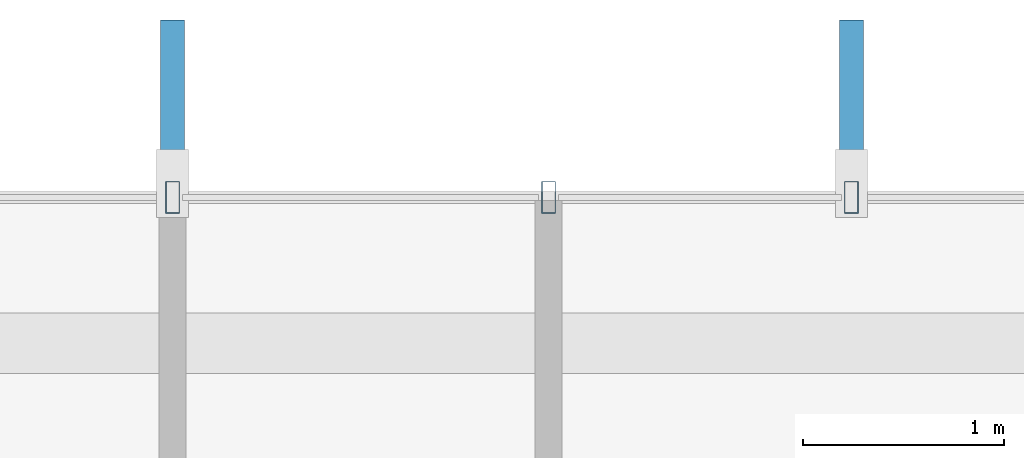
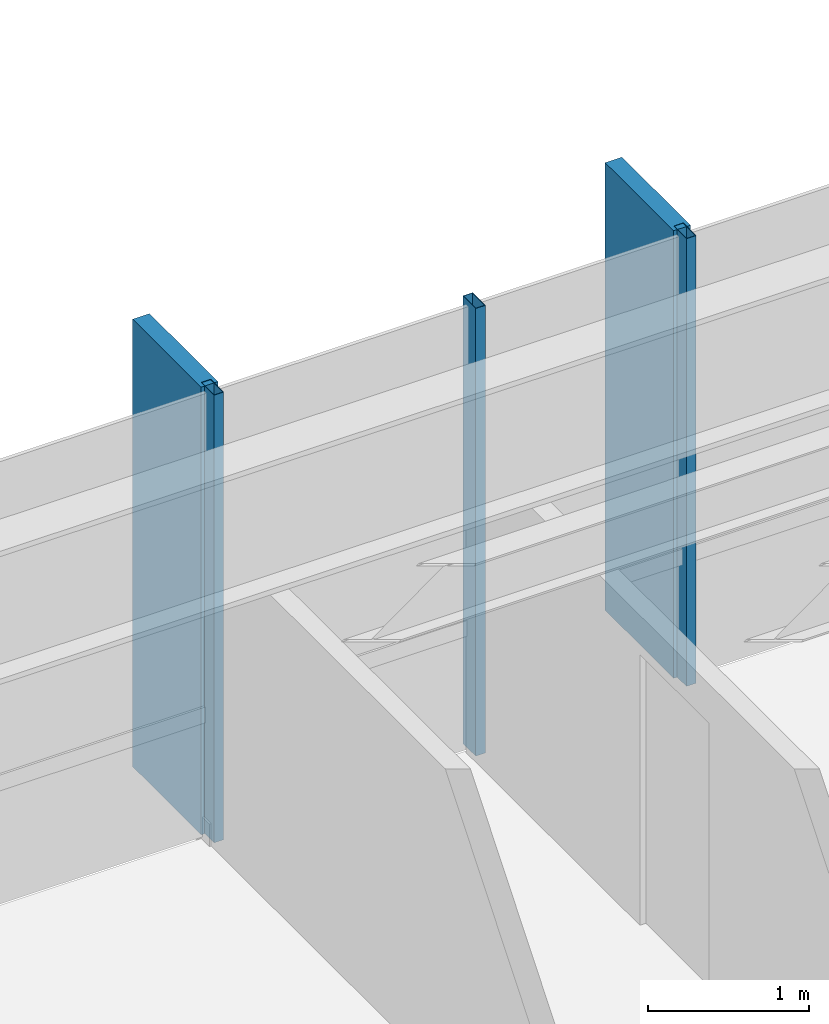
# One storey, part 15 of 28: 5 members, 1 element without a shape of its own.
"""IFC4 building model written with IfcOpenShell, lengths in metres."""

import ifcopenshell
import ifcopenshell.guid

model = None  # the IFC model being written
_history = None  # IfcOwnerHistory: only IFC2X3 demands one
_inside = {}  # id of a spatial element -> (the spatial element, [elements in it])
_under = {}  # id of a project, library or spatial element -> (it, [spatial elements below it])
_declared = {}  # id of a project -> (the project, [libraries it declares])
_typed = {}  # id of a type object -> (the type object, [elements of that type])
_made_of = {}  # id of a material, layer set ... -> (it, [elements and type objects made of it])


def new_model(schema):
    """Start an empty IFC model of exactly this schema.

    Asked for "IFC4X3", IfcOpenShell would pick the latest addendum, in which some entities
    have other attributes; the version numbers below select the first issue.
    IFC2X3 requires an IfcOwnerHistory on every rooted entity: one is made here for all.
    """
    global model, _history
    if schema == "IFC4X3":
        model = ifcopenshell.file(schema_version=(4, 3, 0, 0))
    else:
        model = ifcopenshell.file(schema=schema)
    _inside.clear()
    _under.clear()
    _declared.clear()
    _typed.clear()
    _made_of.clear()
    _history = None
    if model.schema == "IFC2X3":
        org = make("IfcOrganization", Name="unknown")
        user = make(
            "IfcPersonAndOrganization",
            ThePerson=make("IfcPerson", FamilyName="unknown"),
            TheOrganization=org,
        )
        app = make(
            "IfcApplication",
            ApplicationDeveloper=org,
            Version="unknown",
            ApplicationFullName="unknown",
            ApplicationIdentifier="unknown",
        )
        _history = make(
            "IfcOwnerHistory",
            OwningUser=user,
            OwningApplication=app,
            ChangeAction="ADDED",
            CreationDate=0,
        )
    return model


def make(cls, **values):
    """One entity of the class cls with the attributes given. An attribute that is None is left unset."""
    return model.create_entity(
        cls, **{name: value for name, value in values.items() if value is not None}
    )


def rooted(cls, **values):
    """An entity with a GlobalId (a new one), such as an element, a storey or a relation."""
    return make(cls, GlobalId=ifcopenshell.guid.new(), OwnerHistory=_history, **values)


def si_unit(unit_type, name, prefix=None):
    """IfcSIUnit, for example si_unit("LENGTHUNIT", "METRE", prefix="MILLI")."""
    return make("IfcSIUnit", UnitType=unit_type, Prefix=prefix, Name=name)


def assignment(units):
    """IfcUnitAssignment: the units of a project."""
    return None if units is None else make("IfcUnitAssignment", Units=units)


def point(xyz):
    """IfcCartesianPoint."""
    return None if xyz is None else make("IfcCartesianPoint", Coordinates=xyz)


def direction(xyz):
    """IfcDirection."""
    return None if xyz is None else make("IfcDirection", DirectionRatios=xyz)


def frame(location, z_axis=None, x_axis=None):
    """IfcAxis2Placement3D, a coordinate frame: its origin and axes. An axis left out is left unset."""
    return make(
        "IfcAxis2Placement3D",
        Location=point(location),
        Axis=direction(z_axis),
        RefDirection=direction(x_axis),
    )


def frame_2d(location, x_axis=None):
    """IfcAxis2Placement2D, a coordinate frame in the plane: its origin and x axis."""
    return make(
        "IfcAxis2Placement2D", Location=point(location), RefDirection=direction(x_axis)
    )


def origin():
    """The frame at (0, 0, 0) with its axes left unset."""
    return frame((0.0, 0.0, 0.0))


def origin_2d():
    """The frame at (0, 0) in the plane with its x axis left unset."""
    return frame_2d((0.0, 0.0))


def place(relative_to, where):
    """IfcLocalPlacement: puts the frame where relative to a parent placement (None: the world)."""
    return make(
        "IfcLocalPlacement", PlacementRelTo=relative_to, RelativePlacement=where
    )


def context(
    kind, dimensions, precision=None, world=None, true_north=None, identifier=None
):
    """IfcGeometricRepresentationContext, for example the 3D "Model" context."""
    return make(
        "IfcGeometricRepresentationContext",
        ContextIdentifier=identifier,
        ContextType=kind,
        CoordinateSpaceDimension=dimensions,
        Precision=precision,
        WorldCoordinateSystem=world,
        TrueNorth=true_north,
    )


def subcontext(parent, identifier, kind, view, scale=None):
    """IfcGeometricRepresentationSubContext, for example "Body" below "Model"."""
    return make(
        "IfcGeometricRepresentationSubContext",
        ContextIdentifier=identifier,
        ContextType=kind,
        ParentContext=parent,
        TargetScale=scale,
        TargetView=view,
    )


def project(units=None, contexts=None):
    """IfcProject with its units and contexts."""
    return rooted(
        "IfcProject",
        Name="project",
        RepresentationContexts=contexts,
        UnitsInContext=assignment(units),
    )


def spatial(cls, under=None, at=None, **own):
    """A site, building, storey or space (cls), placed at a placement, below another one or the project."""
    s = rooted(cls, ObjectPlacement=at, **own)
    if under is not None:
        _under.setdefault(under.id(), (under, []))[1].append(s)
    return s


def profile(cls, at=None, kind="AREA", **sizes):
    """A parametric profile (cls). Its sizes go by their IFC names, for example OverallWidth=200.0."""
    return make(cls, ProfileType=kind, Position=at, **sizes)


def rectangle(**sizes):
    """IfcRectangleProfileDef."""
    return profile("IfcRectangleProfileDef", **sizes)


def hollow_rectangle(**sizes):
    """IfcRectangleHollowProfileDef."""
    return profile("IfcRectangleHollowProfileDef", **sizes)


def extrude(swept, where, along, depth):
    """IfcExtrudedAreaSolid: the profile swept, set in the frame where, extruded along a direction by depth."""
    return make(
        "IfcExtrudedAreaSolid",
        SweptArea=swept,
        Position=where,
        ExtrudedDirection=direction(along),
        Depth=depth,
    )


def shape(context_of_items, identifier, shape_type, items):
    """IfcShapeRepresentation: the items that make up one representation, for example the "Body"."""
    return make(
        "IfcShapeRepresentation",
        ContextOfItems=context_of_items,
        RepresentationIdentifier=identifier,
        RepresentationType=shape_type,
        Items=items,
    )


def material(Name=None, Category=None):
    """IfcMaterial."""
    return make("IfcMaterial", Name=Name, Category=Category)


def layer(
    of_material, thickness, ventilated=None, Name=None, Category=None, Priority=None
):
    """IfcMaterialLayer: one layer of a wall or slab, of a material (None: an air gap)."""
    return make(
        "IfcMaterialLayer",
        Material=of_material,
        LayerThickness=thickness,
        IsVentilated=ventilated,
        Name=Name,
        Category=Category,
        Priority=Priority,
    )


def layer_set(layers, Name=None):
    """IfcMaterialLayerSet."""
    return make("IfcMaterialLayerSet", MaterialLayers=layers, LayerSetName=Name)


def material_profile(
    of_material, cross_section, Name=None, Category=None, Priority=None
):
    """IfcMaterialProfile: a cross section and its material."""
    return make(
        "IfcMaterialProfile",
        Name=Name,
        Material=of_material,
        Profile=cross_section,
        Priority=Priority,
        Category=Category,
    )


def profile_set(profiles, Name=None, composite=None):
    """IfcMaterialProfileSet."""
    return make(
        "IfcMaterialProfileSet",
        Name=Name,
        MaterialProfiles=profiles,
        CompositeProfile=composite,
    )


def made_of(thing, what):
    """Note that an element or type object is made of a material, layer set ...; save() writes the relation."""
    if what is not None:
        _made_of.setdefault(what.id(), (what, []))[1].append(thing)
    return thing


def type_object(cls, material=None, **own):
    """A type object (cls), such as IfcWallType, which elements share."""
    return made_of(rooted(cls, **own), material)


def element(
    cls,
    number,
    at=None,
    inside=None,
    cuts=None,
    type_object=None,
    material=None,
    context=None,
    identifier="Body",
    shape_type=None,
    held_by="IfcProductDefinitionShape",
    body=None,
    shapes=None,
    **own,
):
    """One element of the class cls, such as IfcWall. Its Tag is "e" and its number.

    at: its placement. inside: the storey or other place that contains it. cuts: it is an
    opening in that element (IfcRelVoidsElement). A single representation is given by context,
    identifier, shape_type and body (its items); several are given by shapes. held_by: the class
    of the entity that holds the representations. save() writes the other relations.
    """
    e = rooted(cls, Tag="e%d" % number, ObjectPlacement=at, **own)
    if body is not None:
        shapes = [shape(context, identifier, shape_type, body)]
    if shapes is not None:
        e.Representation = make(held_by, Representations=shapes)
    if inside is not None:
        _inside.setdefault(inside.id(), (inside, []))[1].append(e)
    if cuts is not None:
        rooted(
            "IfcRelVoidsElement", RelatingBuildingElement=cuts, RelatedOpeningElement=e
        )
    if type_object is not None:
        _typed.setdefault(type_object.id(), (type_object, []))[1].append(e)
    return made_of(e, material)


def aggregate(whole, parts):
    """IfcRelAggregates: a whole, such as a stair, and the parts it consists of."""
    return rooted("IfcRelAggregates", RelatingObject=whole, RelatedObjects=parts)


def save(model, path):
    """Write the relations noted so far, then the file.

    IfcRelAggregates (storeys below a building ...), IfcRelContainedInSpatialStructure (elements
    in a storey), IfcRelDefinesByType, IfcRelAssociatesMaterial and IfcRelDeclares: one each for
    every whole, place, type object, material and project.
    """
    for whole, parts in _under.values():
        aggregate(whole, parts)
    for where, things in _inside.values():
        rooted(
            "IfcRelContainedInSpatialStructure",
            RelatedElements=things,
            RelatingStructure=where,
        )
    for kind, things in _typed.values():
        rooted("IfcRelDefinesByType", RelatedObjects=things, RelatingType=kind)
    for what, things in _made_of.values():
        rooted("IfcRelAssociatesMaterial", RelatedObjects=things, RelatingMaterial=what)
    for by, libraries in _declared.values():
        rooted("IfcRelDeclares", RelatingContext=by, RelatedDefinitions=libraries)
    model.write(path)


model = new_model("IFC4")

# Units and contexts
model_context = context("Model", 3, precision=1e-05, world=origin(), true_north=direction((0.0, 1.0)))
body_context = subcontext(model_context, "Body", "Model", "MODEL_VIEW")
ifc_project = project(units=[si_unit("LENGTHUNIT", "METRE"), si_unit("AREAUNIT", "SQUARE_METRE"), si_unit("VOLUMEUNIT", "CUBIC_METRE"), si_unit("PLANEANGLEUNIT", "RADIAN"), si_unit("MASSUNIT", "GRAM", prefix="KILO")], contexts=[model_context])

# Site, building, storey
site_placement = place(None, origin())
site = spatial("IfcSite", under=ifc_project, at=site_placement, CompositionType="ELEMENT")
building_placement = place(site_placement, origin())
building = spatial("IfcBuilding", under=site, at=building_placement, Name="Zarrinselat Tower", CompositionType="ELEMENT")
storey_placement = place(building_placement, frame((0.0, 0.0, 190.739990234375)))
storey = spatial("IfcBuildingStorey", under=building, at=storey_placement, Name="L47", CompositionType="ELEMENT", Elevation=190.739990234375)

# Curtain wall, members
ifc_material_1 = material(Name="Extruded Aluminium Alloy EN AW-6063 T6", Category="aluminium")
ifc_layer = layer(ifc_material_1, 0.175048828125)
ifc_layer_set = layer_set([ifc_layer], Name="Extruded Aluminium Alloy EN AW-6063 T6")
curtain_wall_type = type_object("IfcCurtainWallType", Name="CWS-HTL", PredefinedType="NOTDEFINED", material=ifc_layer_set)
curtain_wall_placement = place(storey_placement, origin())
curtain_wall = element("IfcCurtainWall", 1, at=curtain_wall_placement, inside=storey, type_object=curtain_wall_type, Name="L47 Unitised Curtain Wall CW-L47-E01", PredefinedType="NOTDEFINED")
ifc_material_2 = material(Name="Extruded Aluminium Alloy EN AW-6063 T6", Category="aluminium")
ifc_material_profile_1 = material_profile(ifc_material_2, hollow_rectangle(XDim=0.070068359375, YDim=0.159912109375, WallThickness=0.00390625, at=origin_2d()), Name="RHS 160x70x4")
ifc_profile_set_1 = profile_set([ifc_material_profile_1], Name="Extruded Aluminium Alloy EN AW-6063 T6")
member_type_1 = type_object("IfcMemberType", Name="MEM-CW-MUL2", PredefinedType="MULLION", material=ifc_profile_set_1)
member_1_placement = place(storey_placement, frame((46.6845703125, 48.605712890625, 0.0), z_axis=(0.0, 0.0, 1.0), x_axis=(-1.0, 0.0, 0.0)))
member_1 = element("IfcMember", 2, at=member_1_placement, type_object=member_type_1, Name="CW-L47-E01 Mullion 3", PredefinedType="MULLION", context=body_context, shape_type="SweptSolid", body=[
    extrude(hollow_rectangle(XDim=0.070068359375, YDim=0.159912109375, WallThickness=0.00390625, at=origin_2d()), origin(), (0.0, 0.0, 1.0), 3.389892578125),
])
member_2_placement = place(storey_placement, frame((45.175048828125, 48.605712890625, 0.0), z_axis=(0.0, 0.0, 1.0), x_axis=(-1.0, 0.0, 0.0)))
member_2 = element("IfcMember", 3, at=member_2_placement, type_object=member_type_1, Name="CW-L47-E01 Mullion 4", PredefinedType="MULLION", context=body_context, shape_type="SweptSolid", body=[
    extrude(hollow_rectangle(XDim=0.070068359375, YDim=0.159912109375, WallThickness=0.00390625, at=origin_2d()), origin(), (0.0, 0.0, 1.0), 3.389892578125),
])
member_3_placement = place(storey_placement, frame((43.300048828125, 48.605712890625, 0.0), z_axis=(0.0, 0.0, 1.0), x_axis=(-1.0, 0.0, 0.0)))
member_3 = element("IfcMember", 4, at=member_3_placement, type_object=member_type_1, Name="CW-L47-E01 Mullion 5", PredefinedType="MULLION", context=body_context, shape_type="SweptSolid", body=[
    extrude(hollow_rectangle(XDim=0.070068359375, YDim=0.159912109375, WallThickness=0.00390625, at=origin_2d()), origin(), (0.0, 0.0, 1.0), 3.389892578125),
])
ifc_material_3 = material(Name="Honed Cream Travertine Stone", Category="masonry")
ifc_material_profile_2 = material_profile(ifc_material_3, rectangle(XDim=0.1201171875, YDim=0.85009765625, at=origin_2d()), Name="FIN 850x120")
ifc_profile_set_2 = profile_set([ifc_material_profile_2], Name="Honed Cream Travertine Stone")
member_type_2 = type_object("IfcMemberType", Name="MEM-STONE-FIN", PredefinedType="USERDEFINED", material=ifc_profile_set_2)
member_4_placement = place(storey_placement, frame((46.6845703125, 49.065673828125, 0.0), z_axis=(0.0, 0.0, 1.0), x_axis=(1.0, 0.0, 0.0)))
member_4 = element("IfcMember", 5, at=member_4_placement, type_object=member_type_2, Name="L47 Stone Shading Fin CW-L47-E01-03", ObjectType="FIN", PredefinedType="USERDEFINED", context=body_context, shape_type="SweptSolid", body=[
    extrude(rectangle(XDim=0.1201171875, YDim=0.85009765625, at=origin_2d()), origin(), (0.0, 0.0, 1.0), 3.389892578125),
])
member_5_placement = place(storey_placement, frame((43.300048828125, 49.065673828125, 0.0), z_axis=(0.0, 0.0, 1.0), x_axis=(1.0, 0.0, 0.0)))
member_5 = element("IfcMember", 6, at=member_5_placement, type_object=member_type_2, Name="L47 Stone Shading Fin CW-L47-E01-05", ObjectType="FIN", PredefinedType="USERDEFINED", context=body_context, shape_type="SweptSolid", body=[
    extrude(rectangle(XDim=0.1201171875, YDim=0.85009765625, at=origin_2d()), origin(), (0.0, 0.0, 1.0), 3.389892578125),
])
aggregate(curtain_wall, [member_1, member_4, member_2, member_3, member_5])

save(model, "model.ifc")
